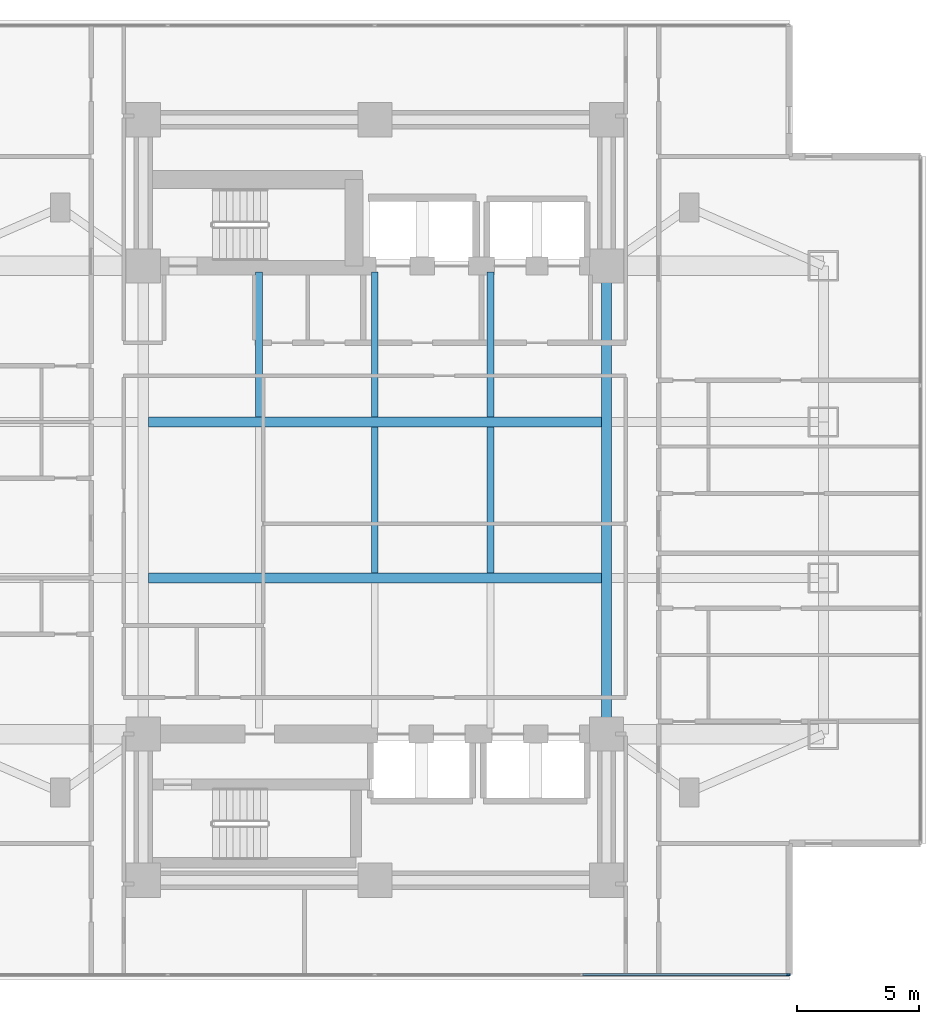
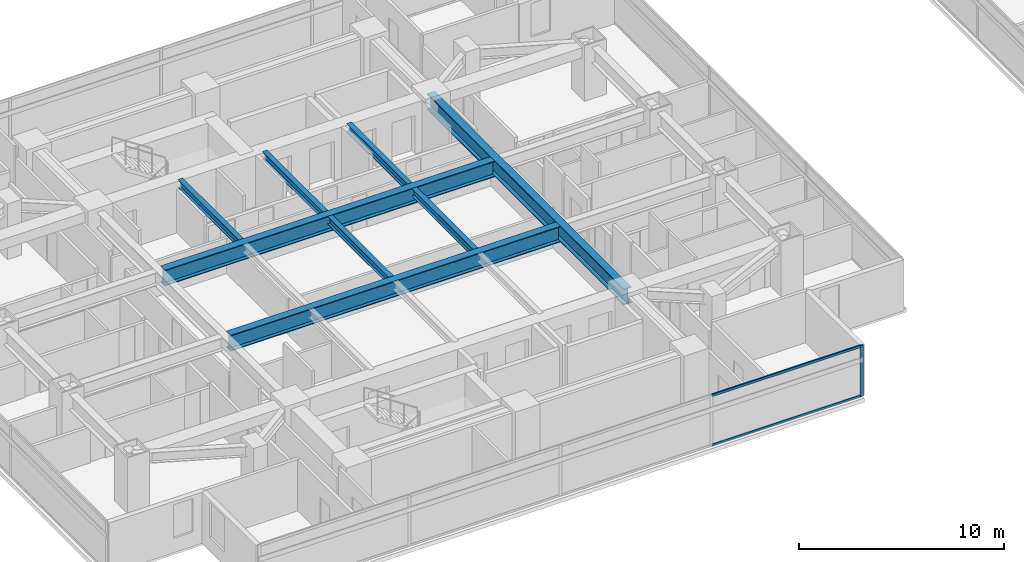
# One storey, part 4 of 26: 8 beams, 3 members, 1 element without a shape of its own.
"""IFC4 building model written with IfcOpenShell, lengths in metres."""

from ifc_helpers import new_model, si_unit, direction, frame, origin, origin_2d, place, context, subcontext, project, spatial, rectangle, i_section, extrude, material, material_profile, profile_set, type_object, element, aggregate, save


model = new_model("IFC4")

# Units and contexts
model_context = context("Model", 3, precision=1e-05, world=origin(), true_north=direction((0.0, 1.0)))
body_context = subcontext(model_context, "Body", "Model", "MODEL_VIEW")
ifc_project = project(units=[si_unit("LENGTHUNIT", "METRE"), si_unit("AREAUNIT", "SQUARE_METRE"), si_unit("VOLUMEUNIT", "CUBIC_METRE"), si_unit("PLANEANGLEUNIT", "RADIAN"), si_unit("MASSUNIT", "GRAM", prefix="KILO")], contexts=[model_context])

# Site, building, storey
site_placement = place(None, origin())
site = spatial("IfcSite", under=ifc_project, at=site_placement, CompositionType="ELEMENT")
building_placement = place(site_placement, origin())
building = spatial("IfcBuilding", under=site, at=building_placement, Name="Mirazonda Arch Towers", CompositionType="ELEMENT")
storey_placement = place(building_placement, frame((0.0, 0.0, 38.89990234375)))
storey = spatial("IfcBuildingStorey", under=building, at=storey_placement, Name="L10", CompositionType="ELEMENT", Elevation=38.89990234375)

# Beams
ifc_material_1 = material(Name="Steel ASTM A992 Grade 50", Category="steel")
ifc_material_profile_1 = material_profile(ifc_material_1, i_section(OverallWidth=0.280029296875, OverallDepth=0.462890625, WebThickness=0.0107421875, FlangeThickness=0.017333984375, at=origin_2d()), Name="W18X76")
ifc_profile_set_1 = profile_set([ifc_material_profile_1], Name="Steel ASTM A992 Grade 50")
beam_type_1 = type_object("IfcBeamType", Name="BM-INT-W18X76", PredefinedType="JOIST", material=ifc_profile_set_1)
for number, where, z_axis, x_axis, name in (
    (1, (15.75, 31.407470703125, 2.82861328125), (0.0, 1.0, 0.0), (-1.0, 0.0, 0.0), "L10 Floor Beam BM-T1-L10-J-157-31"),
    (2, (20.5, 31.407470703125, 2.82861328125), (0.0, 1.0, 0.0), (-1.0, 0.0, 0.0), "L10 Floor Beam BM-T1-L10-J-205-31"),
):
    element("IfcBeam", number, at=place(storey_placement, frame(where, z_axis=z_axis, x_axis=x_axis)), inside=storey, type_object=beam_type_1, Name=name, PredefinedType="JOIST", context=body_context, shape_type="SweptSolid", body=[
        extrude(i_section(OverallWidth=0.280029296875, OverallDepth=0.462890625, WebThickness=0.0107421875, FlangeThickness=0.017333984375, at=origin_2d()), origin(), (0.0, 0.0, 1.0), 5.95263671875),
    ])
beam_1_placement = place(storey_placement, frame((20.5, 25.007568359375, 2.82861328125), z_axis=(0.0, 1.0, 0.0), x_axis=(-1.0, 0.0, 0.0)))
element("IfcBeam", 3, at=beam_1_placement, inside=storey, type_object=beam_type_1, Name="L10 Floor Beam BM-T1-L10-J-205-24", PredefinedType="JOIST", context=body_context, shape_type="SweptSolid", body=[
    extrude(i_section(OverallWidth=0.280029296875, OverallDepth=0.462890625, WebThickness=0.0107421875, FlangeThickness=0.017333984375, at=origin_2d()), origin(), (0.0, 0.0, 1.0), 5.98486328125),
])
beam_2_placement = place(storey_placement, frame((25.25, 31.407470703125, 2.82861328125), z_axis=(0.0, 1.0, 0.0), x_axis=(-1.0, 0.0, 0.0)))
element("IfcBeam", 4, at=beam_2_placement, inside=storey, type_object=beam_type_1, Name="L10 Floor Beam BM-T1-L10-J-252-31", PredefinedType="JOIST", context=body_context, shape_type="SweptSolid", body=[
    extrude(i_section(OverallWidth=0.280029296875, OverallDepth=0.462890625, WebThickness=0.0107421875, FlangeThickness=0.017333984375, at=origin_2d()), origin(), (0.0, 0.0, 1.0), 5.95263671875),
])
beam_3_placement = place(storey_placement, frame((25.25, 25.007568359375, 2.82861328125), z_axis=(0.0, 1.0, 0.0), x_axis=(-1.0, 0.0, 0.0)))
element("IfcBeam", 5, at=beam_3_placement, inside=storey, type_object=beam_type_1, Name="L10 Floor Beam BM-T1-L10-J-252-24", PredefinedType="JOIST", context=body_context, shape_type="SweptSolid", body=[
    extrude(i_section(OverallWidth=0.280029296875, OverallDepth=0.462890625, WebThickness=0.0107421875, FlangeThickness=0.017333984375, at=origin_2d()), origin(), (0.0, 0.0, 1.0), 5.98486328125),
])
ifc_material_profile_2 = material_profile(ifc_material_1, i_section(OverallWidth=0.423095703125, OverallDepth=0.947998046875, WebThickness=0.02392578125, FlangeThickness=0.042724609375, at=origin_2d()), Name="W36X302")
ifc_profile_set_2 = profile_set([ifc_material_profile_2], Name="Steel ASTM A992 Grade 50")
beam_type_2 = type_object("IfcBeamType", Name="BM-INT-W36X302", PredefinedType="USERDEFINED", material=ifc_profile_set_2)
for number, where, z_axis, x_axis, name in (
    (6, (11.21142578125, 24.800048828125, 2.586181640625), (1.0, 0.0, 0.0), (0.0, 1.0, 0.0), "L10 Floor Beam BM-T1-L10-GC2"),
    (7, (11.21142578125, 31.199951171875, 2.586181640625), (1.0, 0.0, 0.0), (0.0, 1.0, 0.0), "L10 Floor Beam BM-T1-L10-GC3"),
):
    element("IfcBeam", number, at=place(storey_placement, frame(where, z_axis=z_axis, x_axis=x_axis)), inside=storey, type_object=beam_type_2, Name=name, ObjectType="GIRDER", PredefinedType="USERDEFINED", context=body_context, shape_type="SweptSolid", body=[
        extrude(i_section(OverallWidth=0.423095703125, OverallDepth=0.947998046875, WebThickness=0.02392578125, FlangeThickness=0.042724609375, at=origin_2d()), origin(), (0.0, 0.0, 1.0), 18.5771484375),
    ])
beam_4_placement = place(storey_placement, frame((30.0, 18.39990234375, 2.586181640625), z_axis=(0.0, 1.0, 0.0), x_axis=(-1.0, 0.0, 0.0)))
element("IfcBeam", 8, at=beam_4_placement, inside=storey, type_object=beam_type_2, Name="L10 Floor Beam BM-T1-L10-NS-CE-FULL", ObjectType="GIRDER", PredefinedType="USERDEFINED", context=body_context, shape_type="SweptSolid", body=[
    extrude(i_section(OverallWidth=0.423095703125, OverallDepth=0.947998046875, WebThickness=0.02392578125, FlangeThickness=0.042724609375, at=origin_2d()), origin(), (0.0, 0.0, 1.0), 19.2001953125),
])

# Curtain wall, members
ifc_material_2 = material(Name="Anodised Aluminium and Low-E Glass", Category="aluminium")
curtain_wall_type = type_object("IfcCurtainWallType", Name="CW-HTL-UNIT", PredefinedType="NOTDEFINED", material=ifc_material_2)
curtain_wall_placement = place(storey_placement, origin())
curtain_wall = element("IfcCurtainWall", 9, at=curtain_wall_placement, inside=storey, type_object=curtain_wall_type, Name="L10 T1 S Facade CW-L10-T1-S", PredefinedType="NOTDEFINED")
ifc_material_3 = material(Name="Anodised Aluminium Alloy", Category="aluminium")
ifc_material_profile_3 = material_profile(ifc_material_3, rectangle(XDim=0.074951171875, YDim=0.1650390625, at=origin_2d()), Name="ALU-MULL-75x165")
ifc_profile_set_3 = profile_set([ifc_material_profile_3], Name="Anodised Aluminium Alloy")
member_type_1 = type_object("IfcMemberType", Name="MULL-CW-HTL-UNIT", PredefinedType="MULLION", material=ifc_profile_set_3)
member_1_placement = place(storey_placement, frame((37.46240234375, 8.530029296875, 0.0), z_axis=(0.0, 0.0, 1.0), x_axis=(0.0, -1.0, 0.0)))
member_1 = element("IfcMember", 10, at=member_1_placement, type_object=member_type_1, Name="CW-112 mullion 1", PredefinedType="MULLION", context=body_context, shape_type="SweptSolid", body=[
    extrude(rectangle(XDim=0.074951171875, YDim=0.1650390625, at=origin_2d()), origin(), (0.0, 0.0, 1.0), 3.0400390625),
])
ifc_material_profile_4 = material_profile(ifc_material_3, rectangle(XDim=0.074951171875, YDim=0.14501953125, at=origin_2d()), Name="ALU-TRAN-75x145")
ifc_profile_set_4 = profile_set([ifc_material_profile_4], Name="Anodised Aluminium Alloy")
member_type_2 = type_object("IfcMemberType", Name="TRAN-CW-HTL-UNIT", PredefinedType="USERDEFINED", material=ifc_profile_set_4)
member_2_placement = place(storey_placement, frame((37.425048828125, 8.530029296875, 0.03759765625), z_axis=(-1.0, 0.0, 0.0), x_axis=(0.0, -1.0, 0.0)))
member_2 = element("IfcMember", 11, at=member_2_placement, type_object=member_type_2, Name="CW-112 transom 1.1", ObjectType="TRANSOM", PredefinedType="USERDEFINED", context=body_context, shape_type="SweptSolid", body=[
    extrude(rectangle(XDim=0.074951171875, YDim=0.14501953125, at=origin_2d()), origin(), (0.0, 0.0, 1.0), 8.387451171875),
])
member_3_placement = place(storey_placement, frame((37.425048828125, 8.530029296875, 3.002685546875), z_axis=(-1.0, 0.0, 0.0), x_axis=(0.0, -1.0, 0.0)))
member_3 = element("IfcMember", 12, at=member_3_placement, type_object=member_type_2, Name="CW-112 transom 1.2", ObjectType="TRANSOM", PredefinedType="USERDEFINED", context=body_context, shape_type="SweptSolid", body=[
    extrude(rectangle(XDim=0.074951171875, YDim=0.14501953125, at=origin_2d()), origin(), (0.0, 0.0, 1.0), 8.387451171875),
])
aggregate(curtain_wall, [member_1, member_2, member_3])

save(model, "model.ifc")
